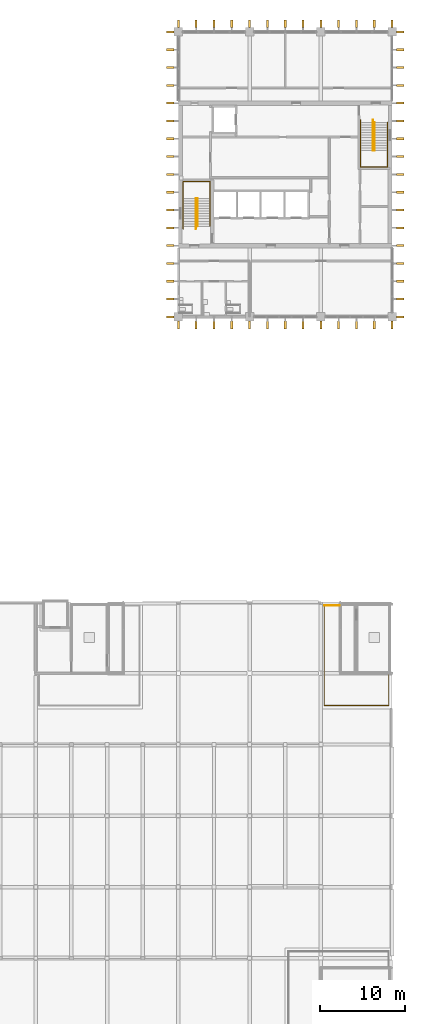
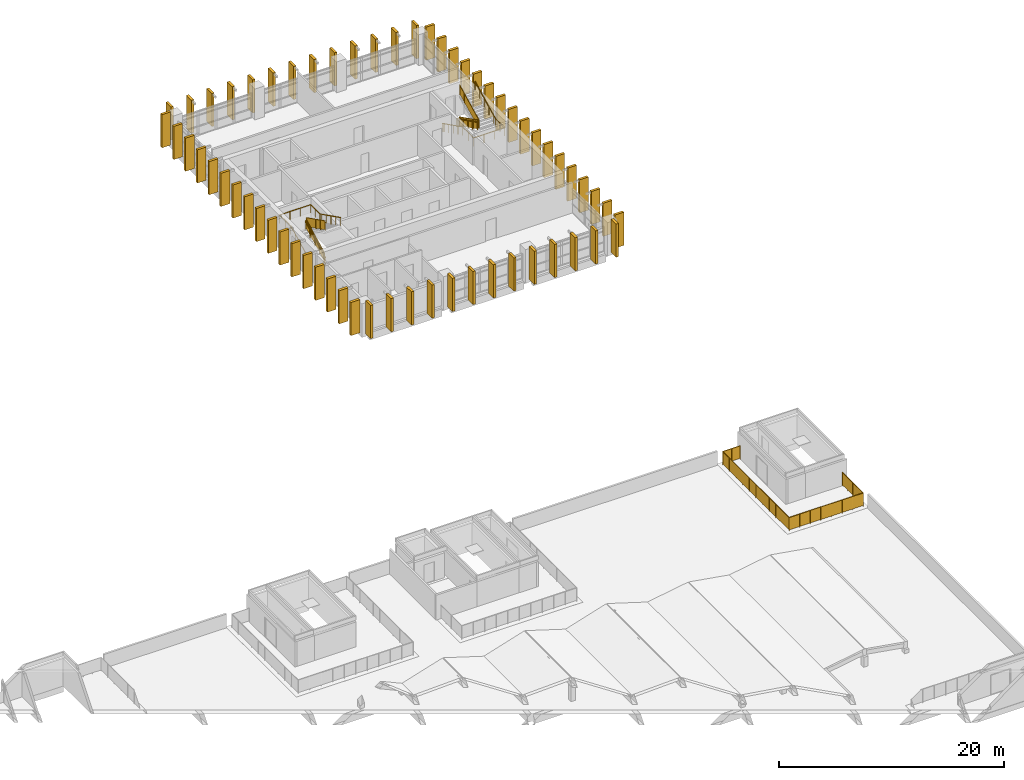
# One storey, part 23 of 24: 60 shading devices, 10 railings.
"""IFC4 building model written with IfcOpenShell, lengths in metres."""

from ifc_helpers import new_model, si_unit, direction, frame, origin, origin_2d, place, context, subcontext, project, spatial, polyline, rectangle, circle, outline, extrude, material, material_profile, profile_set, type_object, element, save


model = new_model("IFC4")

# Units and contexts
model_context = context("Model", 3, precision=1e-05, world=origin(), true_north=direction((0.0, 1.0)))
body_context = subcontext(model_context, "Body", "Model", "MODEL_VIEW")
ifc_project = project(units=[si_unit("LENGTHUNIT", "METRE"), si_unit("AREAUNIT", "SQUARE_METRE"), si_unit("VOLUMEUNIT", "CUBIC_METRE"), si_unit("PLANEANGLEUNIT", "RADIAN"), si_unit("MASSUNIT", "GRAM", prefix="KILO")], contexts=[model_context])

# Site, building, storey
site_placement = place(None, origin())
site = spatial("IfcSite", under=ifc_project, at=site_placement, CompositionType="ELEMENT")
building_placement = place(site_placement, origin())
building = spatial("IfcBuilding", under=site, at=building_placement, Name="Rulbaag Community and Learning Centre", CompositionType="ELEMENT")
storey_placement = place(building_placement, frame((0.0, 0.0, 14.39990234375)))
storey = spatial("IfcBuildingStorey", under=building, at=storey_placement, Name="L03", CompositionType="ELEMENT", Elevation=14.39990234375)

# Shading devices
ifc_material_1 = material(Name="Concrete M40", Category="concrete")
ifc_material_profile = material_profile(ifc_material_1, rectangle(XDim=0.25, YDim=0.89990234375, at=origin_2d()), Name="PC 250x900")
ifc_profile_set = profile_set([ifc_material_profile], Name="Concrete M40")
shading_device_type = type_object("IfcShadingDeviceType", Name="FIN-H", PredefinedType="JALOUSIE", material=ifc_profile_set)
for number, where, z_axis, x_axis, name in (
    (1, (142.800048828125, 83.050048828125, 0.0), (0.0, 0.0, 1.0), (1.0, 0.0, 0.0), "Precast fin"),
    (2, (144.89990234375, 83.050048828125, 0.0), (0.0, 0.0, 1.0), (1.0, 0.0, 0.0), "Precast fin"),
    (3, (147.0, 83.050048828125, 0.0), (0.0, 0.0, 1.0), (1.0, 0.0, 0.0), "Precast fin"),
    (4, (149.10009765625, 83.050048828125, 0.0), (0.0, 0.0, 1.0), (1.0, 0.0, 0.0), "Precast fin"),
    (5, (151.199951171875, 83.050048828125, 0.0), (0.0, 0.0, 1.0), (1.0, 0.0, 0.0), "Precast fin"),
    (6, (153.300048828125, 83.050048828125, 0.0), (0.0, 0.0, 1.0), (1.0, 0.0, 0.0), "Precast fin"),
    (7, (155.39990234375, 83.050048828125, 0.0), (0.0, 0.0, 1.0), (1.0, 0.0, 0.0), "Precast fin"),
    (8, (157.5, 83.050048828125, 0.0), (0.0, 0.0, 1.0), (1.0, 0.0, 0.0), "Precast fin"),
    (9, (159.60009765625, 83.050048828125, 0.0), (0.0, 0.0, 1.0), (1.0, 0.0, 0.0), "Precast fin"),
    (10, (161.699951171875, 83.050048828125, 0.0), (0.0, 0.0, 1.0), (1.0, 0.0, 0.0), "Precast fin"),
    (11, (163.800048828125, 83.050048828125, 0.0), (0.0, 0.0, 1.0), (1.0, 0.0, 0.0), "Precast fin"),
    (12, (165.89990234375, 83.050048828125, 0.0), (0.0, 0.0, 1.0), (1.0, 0.0, 0.0), "Precast fin"),
    (13, (168.0, 83.050048828125, 0.0), (0.0, 0.0, 1.0), (1.0, 0.0, 0.0), "Precast fin"),
    (14, (142.800048828125, 118.550048828125, 0.0), (0.0, 0.0, 1.0), (1.0, 0.0, 0.0), "Precast fin"),
    (15, (144.89990234375, 118.550048828125, 0.0), (0.0, 0.0, 1.0), (1.0, 0.0, 0.0), "Precast fin"),
    (16, (147.0, 118.550048828125, 0.0), (0.0, 0.0, 1.0), (1.0, 0.0, 0.0), "Precast fin"),
    (17, (149.10009765625, 118.550048828125, 0.0), (0.0, 0.0, 1.0), (1.0, 0.0, 0.0), "Precast fin"),
    (18, (151.199951171875, 118.550048828125, 0.0), (0.0, 0.0, 1.0), (1.0, 0.0, 0.0), "Precast fin"),
    (19, (153.300048828125, 118.550048828125, 0.0), (0.0, 0.0, 1.0), (1.0, 0.0, 0.0), "Precast fin"),
    (20, (155.39990234375, 118.550048828125, 0.0), (0.0, 0.0, 1.0), (1.0, 0.0, 0.0), "Precast fin"),
    (21, (157.5, 118.550048828125, 0.0), (0.0, 0.0, 1.0), (1.0, 0.0, 0.0), "Precast fin"),
    (22, (159.60009765625, 118.550048828125, 0.0), (0.0, 0.0, 1.0), (1.0, 0.0, 0.0), "Precast fin"),
    (23, (161.699951171875, 118.550048828125, 0.0), (0.0, 0.0, 1.0), (1.0, 0.0, 0.0), "Precast fin"),
    (24, (163.800048828125, 118.550048828125, 0.0), (0.0, 0.0, 1.0), (1.0, 0.0, 0.0), "Precast fin"),
    (25, (165.89990234375, 118.550048828125, 0.0), (0.0, 0.0, 1.0), (1.0, 0.0, 0.0), "Precast fin"),
    (26, (168.0, 118.550048828125, 0.0), (0.0, 0.0, 1.0), (1.0, 0.0, 0.0), "Precast fin"),
    (27, (141.85009765625, 84.0, 0.0), (0.0, 0.0, 1.0), (0.0, 1.0, 0.0), "Precast fin"),
    (28, (141.85009765625, 86.10009765625, 0.0), (0.0, 0.0, 1.0), (0.0, 1.0, 0.0), "Precast fin"),
    (29, (141.85009765625, 88.199951171875, 0.0), (0.0, 0.0, 1.0), (0.0, 1.0, 0.0), "Precast fin"),
    (30, (141.85009765625, 90.300048828125, 0.0), (0.0, 0.0, 1.0), (0.0, 1.0, 0.0), "Precast fin"),
    (31, (141.85009765625, 92.39990234375, 0.0), (0.0, 0.0, 1.0), (0.0, 1.0, 0.0), "Precast fin"),
    (32, (141.85009765625, 94.5, 0.0), (0.0, 0.0, 1.0), (0.0, 1.0, 0.0), "Precast fin"),
    (33, (141.85009765625, 96.60009765625, 0.0), (0.0, 0.0, 1.0), (0.0, 1.0, 0.0), "Precast fin"),
    (34, (141.85009765625, 98.699951171875, 0.0), (0.0, 0.0, 1.0), (0.0, 1.0, 0.0), "Precast fin"),
    (35, (141.85009765625, 100.800048828125, 0.0), (0.0, 0.0, 1.0), (0.0, 1.0, 0.0), "Precast fin"),
    (36, (141.85009765625, 102.89990234375, 0.0), (0.0, 0.0, 1.0), (0.0, 1.0, 0.0), "Precast fin"),
    (37, (141.85009765625, 105.0, 0.0), (0.0, 0.0, 1.0), (0.0, 1.0, 0.0), "Precast fin"),
    (38, (141.85009765625, 107.10009765625, 0.0), (0.0, 0.0, 1.0), (0.0, 1.0, 0.0), "Precast fin"),
    (39, (141.85009765625, 109.199951171875, 0.0), (0.0, 0.0, 1.0), (0.0, 1.0, 0.0), "Precast fin"),
    (40, (141.85009765625, 111.300048828125, 0.0), (0.0, 0.0, 1.0), (0.0, 1.0, 0.0), "Precast fin"),
    (41, (141.85009765625, 113.39990234375, 0.0), (0.0, 0.0, 1.0), (0.0, 1.0, 0.0), "Precast fin"),
    (42, (141.85009765625, 115.5, 0.0), (0.0, 0.0, 1.0), (0.0, 1.0, 0.0), "Precast fin"),
    (43, (141.85009765625, 117.60009765625, 0.0), (0.0, 0.0, 1.0), (0.0, 1.0, 0.0), "Precast fin"),
    (44, (168.949951171875, 84.0, 0.0), (0.0, 0.0, 1.0), (0.0, 1.0, 0.0), "Precast fin"),
    (45, (168.949951171875, 86.10009765625, 0.0), (0.0, 0.0, 1.0), (0.0, 1.0, 0.0), "Precast fin"),
    (46, (168.949951171875, 88.199951171875, 0.0), (0.0, 0.0, 1.0), (0.0, 1.0, 0.0), "Precast fin"),
    (47, (168.949951171875, 90.300048828125, 0.0), (0.0, 0.0, 1.0), (0.0, 1.0, 0.0), "Precast fin"),
    (48, (168.949951171875, 92.39990234375, 0.0), (0.0, 0.0, 1.0), (0.0, 1.0, 0.0), "Precast fin"),
    (49, (168.949951171875, 94.5, 0.0), (0.0, 0.0, 1.0), (0.0, 1.0, 0.0), "Precast fin"),
    (50, (168.949951171875, 96.60009765625, 0.0), (0.0, 0.0, 1.0), (0.0, 1.0, 0.0), "Precast fin"),
    (51, (168.949951171875, 98.699951171875, 0.0), (0.0, 0.0, 1.0), (0.0, 1.0, 0.0), "Precast fin"),
    (52, (168.949951171875, 100.800048828125, 0.0), (0.0, 0.0, 1.0), (0.0, 1.0, 0.0), "Precast fin"),
    (53, (168.949951171875, 102.89990234375, 0.0), (0.0, 0.0, 1.0), (0.0, 1.0, 0.0), "Precast fin"),
    (54, (168.949951171875, 105.0, 0.0), (0.0, 0.0, 1.0), (0.0, 1.0, 0.0), "Precast fin"),
    (55, (168.949951171875, 107.10009765625, 0.0), (0.0, 0.0, 1.0), (0.0, 1.0, 0.0), "Precast fin"),
    (56, (168.949951171875, 109.199951171875, 0.0), (0.0, 0.0, 1.0), (0.0, 1.0, 0.0), "Precast fin"),
    (57, (168.949951171875, 111.300048828125, 0.0), (0.0, 0.0, 1.0), (0.0, 1.0, 0.0), "Precast fin"),
    (58, (168.949951171875, 113.39990234375, 0.0), (0.0, 0.0, 1.0), (0.0, 1.0, 0.0), "Precast fin"),
    (59, (168.949951171875, 115.5, 0.0), (0.0, 0.0, 1.0), (0.0, 1.0, 0.0), "Precast fin"),
    (60, (168.949951171875, 117.60009765625, 0.0), (0.0, 0.0, 1.0), (0.0, 1.0, 0.0), "Precast fin"),
):
    element("IfcShadingDevice", number, at=place(storey_placement, frame(where, z_axis=z_axis, x_axis=x_axis)), inside=storey, type_object=shading_device_type, Name=name, PredefinedType="JALOUSIE", context=body_context, shape_type="SweptSolid", body=[
        extrude(rectangle(XDim=0.25, YDim=0.89990234375, at=origin_2d()), origin(), (0.0, 0.0, 1.0), 3.60009765625),
    ])

# Railings
ifc_material_2 = material(Name="Galvanised mild steel", Category="steel")
railing_type_1 = type_object("IfcRailingType", Name="GR-1100 GUARD 1100", PredefinedType="GUARDRAIL", material=ifc_material_2)
railing_1_placement = place(storey_placement, frame((144.929931640625, 94.675048828125, 0.150146484375)))
element("IfcRailing", 61, at=railing_1_placement, inside=storey, type_object=railing_type_1, Name="Guard ST1 L03 G", PredefinedType="GUARDRAIL", context=body_context, shape_type="SweptSolid", body=[
    extrude(circle(Radius=0.02490234375, at=origin_2d()), frame((0.0, 0.0, 1.0751953125), z_axis=(0.0, 0.894440424912, 0.447187126696), x_axis=(-1.0, 0.0, 0.0)), (0.0, 0.0, 1.0), 3.689453125),
    extrude(circle(Radius=0.02001953125, at=origin_2d()), origin(), (0.0, 0.0, 1.0), 1.050048828125),
    extrude(circle(Radius=0.02001953125, at=origin_2d()), frame((0.0, 0.824951171875, 0.41259765625)), (0.0, 0.0, 1.0), 1.050048828125),
    extrude(circle(Radius=0.02001953125, at=origin_2d()), frame((0.0, 1.64990234375, 0.824951171875)), (0.0, 0.0, 1.0), 1.050048828125),
    extrude(circle(Radius=0.02001953125, at=origin_2d()), frame((0.0, 2.47509765625, 1.2373046875)), (0.0, 0.0, 1.0), 1.050048828125),
    extrude(circle(Radius=0.02001953125, at=origin_2d()), frame((0.0, 3.300048828125, 1.64990234375)), (0.0, 0.0, 1.0), 1.050048828125),
    extrude(outline(polyline([(0.0, 0.0), (3.300048828125, 1.64990234375), (3.300048828125, 2.599853515625), (0.0, 0.949951171875), (0.0, 0.0)])), frame((-0.0048828125, 0.0, 0.10009765625), z_axis=(1.0, 0.0, 0.0), x_axis=(0.0, 1.0, 0.0)), (0.0, 0.0, 1.0), 0.010009765625),
])
for number, where, name in (
    (62, (144.969970703125, 97.97509765625, 1.9501953125), "Guard ST1 L03 G2"),
    (63, (165.830078125, 106.925048828125, 0.150146484375), "Guard ST2 L03 G"),
):
    element("IfcRailing", number, at=place(storey_placement, frame(where)), inside=storey, type_object=railing_type_1, Name=name, PredefinedType="GUARDRAIL", context=body_context, shape_type="SweptSolid", body=[
        extrude(circle(Radius=0.02490234375, at=origin_2d()), frame((0.0, 0.0, 1.0751953125), z_axis=(0.0, -0.894440424912, 0.447187126696), x_axis=(1.0, 0.0, 0.0)), (0.0, 0.0, 1.0), 3.689453125),
        extrude(circle(Radius=0.02001953125, at=origin_2d()), origin(), (0.0, 0.0, 1.0), 1.050048828125),
        extrude(circle(Radius=0.02001953125, at=origin_2d()), frame((0.0, -0.824951171875, 0.41259765625)), (0.0, 0.0, 1.0), 1.050048828125),
        extrude(circle(Radius=0.02001953125, at=origin_2d()), frame((0.0, -1.64990234375, 0.824951171875)), (0.0, 0.0, 1.0), 1.050048828125),
        extrude(circle(Radius=0.02001953125, at=origin_2d()), frame((0.0, -2.47509765625, 1.2373046875)), (0.0, 0.0, 1.0), 1.050048828125),
        extrude(circle(Radius=0.02001953125, at=origin_2d()), frame((0.0, -3.300048828125, 1.64990234375)), (0.0, 0.0, 1.0), 1.050048828125),
        extrude(outline(polyline([(0.0, 0.0), (3.300048828125, 1.64990234375), (3.300048828125, 2.599853515625), (0.0, 0.949951171875), (0.0, 0.0)])), frame((0.0048828125, 0.0, 0.10009765625), z_axis=(-1.0, 0.0, 0.0), x_axis=(0.0, -1.0, 0.0)), (0.0, 0.0, 1.0), 0.010009765625),
    ])
railing_2_placement = place(storey_placement, frame((165.8701171875, 103.625, 1.9501953125)))
element("IfcRailing", 64, at=railing_2_placement, inside=storey, type_object=railing_type_1, Name="Guard ST2 L03 G2", PredefinedType="GUARDRAIL", context=body_context, shape_type="SweptSolid", body=[
    extrude(circle(Radius=0.02490234375, at=origin_2d()), frame((0.0, 0.0, 1.0751953125), z_axis=(0.0, 0.894440424912, 0.447187126696), x_axis=(-1.0, 0.0, 0.0)), (0.0, 0.0, 1.0), 3.689453125),
    extrude(circle(Radius=0.02001953125, at=origin_2d()), origin(), (0.0, 0.0, 1.0), 1.050048828125),
    extrude(circle(Radius=0.02001953125, at=origin_2d()), frame((0.0, 0.824951171875, 0.41259765625)), (0.0, 0.0, 1.0), 1.050048828125),
    extrude(circle(Radius=0.02001953125, at=origin_2d()), frame((0.0, 1.64990234375, 0.824951171875)), (0.0, 0.0, 1.0), 1.050048828125),
    extrude(circle(Radius=0.02001953125, at=origin_2d()), frame((0.0, 2.47509765625, 1.2373046875)), (0.0, 0.0, 1.0), 1.050048828125),
    extrude(circle(Radius=0.02001953125, at=origin_2d()), frame((0.0, 3.300048828125, 1.64990234375)), (0.0, 0.0, 1.0), 1.050048828125),
    extrude(outline(polyline([(0.0, 0.0), (3.300048828125, 1.64990234375), (3.300048828125, 2.599853515625), (0.0, 0.949951171875), (0.0, 0.0)])), frame((-0.0048828125, 0.0, 0.10009765625), z_axis=(1.0, 0.0, 0.0), x_axis=(0.0, 1.0, 0.0)), (0.0, 0.0, 1.0), 0.010009765625),
])
ifc_material_3 = material(Name="Stainless steel grade 316", Category="steel")
railing_type_2 = type_object("IfcRailingType", Name="HR-900 HANDRAIL 900", PredefinedType="HANDRAIL", material=ifc_material_3)
railing_3_placement = place(storey_placement, frame((143.360107421875, 94.375, 0.0)))
element("IfcRailing", 65, at=railing_3_placement, inside=storey, type_object=railing_type_2, Name="Handrail ST1 L03 O", PredefinedType="HANDRAIL", context=body_context, shape_type="SweptSolid", body=[
    extrude(circle(Radius=0.024169921875, at=origin_2d()), frame((0.0, 0.0, 0.875732421875), z_axis=(0.0, 0.894281613681, 0.447504631744), x_axis=(-1.0, 0.0, 0.0)), (0.0, 0.0, 1.0), 0.33544921875),
    extrude(circle(Radius=0.024169921875, at=origin_2d()), frame((0.0, 0.300048828125, 1.02587890625), z_axis=(0.0, 0.894440424912, 0.447187126696), x_axis=(-1.0, 0.0, 0.0)), (0.0, 0.0, 1.0), 3.689453125),
    extrude(circle(Radius=0.024169921875, at=origin_2d()), frame((0.0, 3.60009765625, 2.67578125), z_axis=(0.0, 1.0, 0.0), x_axis=(-1.0, 0.0, 0.0)), (0.0, 0.0, 1.0), 1.96484375),
    extrude(circle(Radius=0.024169921875, at=origin_2d()), frame((0.0, 5.56494140625, 2.67578125), z_axis=(1.0, 0.0, 0.0), x_axis=(0.0, 1.0, 0.0)), (0.0, 0.0, 1.0), 3.179931640625),
    extrude(circle(Radius=0.024169921875, at=origin_2d()), frame((3.179931640625, 5.56494140625, 2.67578125), z_axis=(0.0, -1.0, 0.0), x_axis=(1.0, 0.0, 0.0)), (0.0, 0.0, 1.0), 1.6650390625),
    extrude(circle(Radius=0.024169921875, at=origin_2d()), frame((3.179931640625, 3.89990234375, 2.67578125), z_axis=(0.0, -0.894135751892, 0.447795999523), x_axis=(1.0, 0.0, 0.0)), (0.0, 0.0, 1.0), 0.335205078125),
    extrude(circle(Radius=0.024169921875, at=origin_2d()), frame((3.179931640625, 3.60009765625, 2.825927734375), z_axis=(0.0, -0.894440424912, 0.447187126696), x_axis=(1.0, 0.0, 0.0)), (0.0, 0.0, 1.0), 3.689453125),
    extrude(circle(Radius=0.008056640625, at=origin_2d()), origin(), (0.0, 0.0, 1.0), 0.8515625),
    extrude(circle(Radius=0.008056640625, at=origin_2d()), frame((0.0, 0.300048828125, 0.150146484375)), (0.0, 0.0, 1.0), 0.8515625),
    extrude(circle(Radius=0.008056640625, at=origin_2d()), frame((0.0, 1.125, 0.5625)), (0.0, 0.0, 1.0), 0.8515625),
    extrude(circle(Radius=0.008056640625, at=origin_2d()), frame((0.0, 1.9501953125, 0.97509765625)), (0.0, 0.0, 1.0), 0.8515625),
    extrude(circle(Radius=0.008056640625, at=origin_2d()), frame((0.0, 2.775146484375, 1.3876953125)), (0.0, 0.0, 1.0), 0.8515625),
    extrude(circle(Radius=0.008056640625, at=origin_2d()), frame((0.0, 3.60009765625, 1.800048828125)), (0.0, 0.0, 1.0), 0.8515625),
    extrude(circle(Radius=0.008056640625, at=origin_2d()), frame((0.0, 4.58251953125, 1.800048828125)), (0.0, 0.0, 1.0), 0.8515625),
    extrude(circle(Radius=0.008056640625, at=origin_2d()), frame((0.0, 5.56494140625, 1.800048828125)), (0.0, 0.0, 1.0), 0.8515625),
    extrude(circle(Radius=0.008056640625, at=origin_2d()), frame((1.06005859375, 5.56494140625, 1.800048828125)), (0.0, 0.0, 1.0), 0.8515625),
    extrude(circle(Radius=0.008056640625, at=origin_2d()), frame((2.119873046875, 5.56494140625, 1.800048828125)), (0.0, 0.0, 1.0), 0.8515625),
    extrude(circle(Radius=0.008056640625, at=origin_2d()), frame((3.179931640625, 5.56494140625, 1.800048828125)), (0.0, 0.0, 1.0), 0.8515625),
    extrude(circle(Radius=0.008056640625, at=origin_2d()), frame((3.179931640625, 4.732421875, 1.800048828125)), (0.0, 0.0, 1.0), 0.8515625),
    extrude(circle(Radius=0.008056640625, at=origin_2d()), frame((3.179931640625, 3.89990234375, 1.800048828125)), (0.0, 0.0, 1.0), 0.8515625),
    extrude(circle(Radius=0.008056640625, at=origin_2d()), frame((3.179931640625, 3.60009765625, 1.9501953125)), (0.0, 0.0, 1.0), 0.8515625),
    extrude(circle(Radius=0.008056640625, at=origin_2d()), frame((3.179931640625, 2.775146484375, 2.36279296875)), (0.0, 0.0, 1.0), 0.8515625),
    extrude(circle(Radius=0.008056640625, at=origin_2d()), frame((3.179931640625, 1.9501953125, 2.775146484375)), (0.0, 0.0, 1.0), 0.8515625),
    extrude(circle(Radius=0.008056640625, at=origin_2d()), frame((3.179931640625, 1.125, 3.1875)), (0.0, 0.0, 1.0), 0.8515625),
    extrude(circle(Radius=0.008056640625, at=origin_2d()), frame((3.179931640625, 0.300048828125, 3.60009765625)), (0.0, 0.0, 1.0), 0.8515625),
])
railing_4_placement = place(storey_placement, frame((144.860107421875, 94.375, 0.0)))
element("IfcRailing", 66, at=railing_4_placement, inside=storey, type_object=railing_type_2, Name="Handrail ST1 L03 I", PredefinedType="HANDRAIL", context=body_context, shape_type="SweptSolid", body=[
    extrude(circle(Radius=0.024169921875, at=origin_2d()), frame((0.0, 0.0, 0.875732421875), z_axis=(0.0, 0.894281613681, 0.447504631744), x_axis=(-1.0, 0.0, 0.0)), (0.0, 0.0, 1.0), 0.33544921875),
    extrude(circle(Radius=0.024169921875, at=origin_2d()), frame((0.0, 0.300048828125, 1.02587890625), z_axis=(0.0, 0.894440424912, 0.447187126696), x_axis=(-1.0, 0.0, 0.0)), (0.0, 0.0, 1.0), 3.689453125),
    extrude(circle(Radius=0.024169921875, at=origin_2d()), frame((0.0, 3.60009765625, 2.67578125), z_axis=(0.767794148456, 0.0, 0.640696609634), x_axis=(0.0, 1.0, 0.0)), (0.0, 0.0, 1.0), 0.234375),
    extrude(circle(Radius=0.024169921875, at=origin_2d()), frame((0.179931640625, 3.60009765625, 2.825927734375), z_axis=(0.0, -0.894440424912, 0.447187126696), x_axis=(1.0, 0.0, 0.0)), (0.0, 0.0, 1.0), 3.689453125),
    extrude(circle(Radius=0.008056640625, at=origin_2d()), origin(), (0.0, 0.0, 1.0), 0.8515625),
    extrude(circle(Radius=0.008056640625, at=origin_2d()), frame((0.0, 0.300048828125, 0.150146484375)), (0.0, 0.0, 1.0), 0.8515625),
    extrude(circle(Radius=0.008056640625, at=origin_2d()), frame((0.0, 1.125, 0.5625)), (0.0, 0.0, 1.0), 0.8515625),
    extrude(circle(Radius=0.008056640625, at=origin_2d()), frame((0.0, 1.9501953125, 0.97509765625)), (0.0, 0.0, 1.0), 0.8515625),
    extrude(circle(Radius=0.008056640625, at=origin_2d()), frame((0.0, 2.775146484375, 1.3876953125)), (0.0, 0.0, 1.0), 0.8515625),
    extrude(circle(Radius=0.008056640625, at=origin_2d()), frame((0.0, 3.60009765625, 1.800048828125)), (0.0, 0.0, 1.0), 0.8515625),
    extrude(circle(Radius=0.008056640625, at=origin_2d()), frame((0.179931640625, 3.60009765625, 1.9501953125)), (0.0, 0.0, 1.0), 0.8515625),
    extrude(circle(Radius=0.008056640625, at=origin_2d()), frame((0.179931640625, 2.775146484375, 2.36279296875)), (0.0, 0.0, 1.0), 0.8515625),
    extrude(circle(Radius=0.008056640625, at=origin_2d()), frame((0.179931640625, 1.9501953125, 2.775146484375)), (0.0, 0.0, 1.0), 0.8515625),
    extrude(circle(Radius=0.008056640625, at=origin_2d()), frame((0.179931640625, 1.125, 3.1875)), (0.0, 0.0, 1.0), 0.8515625),
    extrude(circle(Radius=0.008056640625, at=origin_2d()), frame((0.179931640625, 0.300048828125, 3.60009765625)), (0.0, 0.0, 1.0), 0.8515625),
])
railing_5_placement = place(storey_placement, frame((164.260009765625, 107.22509765625, 0.0)))
element("IfcRailing", 67, at=railing_5_placement, inside=storey, type_object=railing_type_2, Name="Handrail ST2 L03 O", PredefinedType="HANDRAIL", context=body_context, shape_type="SweptSolid", body=[
    extrude(circle(Radius=0.024169921875, at=origin_2d()), frame((0.0, 0.0, 0.875732421875), z_axis=(0.0, -0.894281613681, 0.447504631744), x_axis=(1.0, 0.0, 0.0)), (0.0, 0.0, 1.0), 0.33544921875),
    extrude(circle(Radius=0.024169921875, at=origin_2d()), frame((0.0, -0.300048828125, 1.02587890625), z_axis=(0.0, -0.894440424912, 0.447187126696), x_axis=(1.0, 0.0, 0.0)), (0.0, 0.0, 1.0), 3.689453125),
    extrude(circle(Radius=0.024169921875, at=origin_2d()), frame((0.0, -3.60009765625, 2.67578125), z_axis=(0.0, -1.0, 0.0), x_axis=(1.0, 0.0, 0.0)), (0.0, 0.0, 1.0), 1.965087890625),
    extrude(circle(Radius=0.024169921875, at=origin_2d()), frame((0.0, -5.565185546875, 2.67578125), z_axis=(1.0, 0.0, 0.0), x_axis=(0.0, 1.0, 0.0)), (0.0, 0.0, 1.0), 3.179931640625),
    extrude(circle(Radius=0.024169921875, at=origin_2d()), frame((3.179931640625, -5.565185546875, 2.67578125), z_axis=(0.0, 1.0, 0.0), x_axis=(-1.0, 0.0, 0.0)), (0.0, 0.0, 1.0), 1.6650390625),
    extrude(circle(Radius=0.024169921875, at=origin_2d()), frame((3.179931640625, -3.900146484375, 2.67578125), z_axis=(0.0, 0.894281613681, 0.447504631744), x_axis=(-1.0, 0.0, 0.0)), (0.0, 0.0, 1.0), 0.33544921875),
    extrude(circle(Radius=0.024169921875, at=origin_2d()), frame((3.179931640625, -3.60009765625, 2.825927734375), z_axis=(0.0, 0.894440424912, 0.447187126696), x_axis=(-1.0, 0.0, 0.0)), (0.0, 0.0, 1.0), 3.689453125),
    extrude(circle(Radius=0.008056640625, at=origin_2d()), origin(), (0.0, 0.0, 1.0), 0.8515625),
    extrude(circle(Radius=0.008056640625, at=origin_2d()), frame((0.0, -0.300048828125, 0.150146484375)), (0.0, 0.0, 1.0), 0.8515625),
    extrude(circle(Radius=0.008056640625, at=origin_2d()), frame((0.0, -1.125, 0.5625)), (0.0, 0.0, 1.0), 0.8515625),
    extrude(circle(Radius=0.008056640625, at=origin_2d()), frame((0.0, -1.9501953125, 0.97509765625)), (0.0, 0.0, 1.0), 0.8515625),
    extrude(circle(Radius=0.008056640625, at=origin_2d()), frame((0.0, -2.775146484375, 1.3876953125)), (0.0, 0.0, 1.0), 0.8515625),
    extrude(circle(Radius=0.008056640625, at=origin_2d()), frame((0.0, -3.60009765625, 1.800048828125)), (0.0, 0.0, 1.0), 0.8515625),
    extrude(circle(Radius=0.008056640625, at=origin_2d()), frame((0.0, -4.58251953125, 1.800048828125)), (0.0, 0.0, 1.0), 0.8515625),
    extrude(circle(Radius=0.008056640625, at=origin_2d()), frame((0.0, -5.565185546875, 1.800048828125)), (0.0, 0.0, 1.0), 0.8515625),
    extrude(circle(Radius=0.008056640625, at=origin_2d()), frame((1.06005859375, -5.565185546875, 1.800048828125)), (0.0, 0.0, 1.0), 0.8515625),
    extrude(circle(Radius=0.008056640625, at=origin_2d()), frame((2.119873046875, -5.565185546875, 1.800048828125)), (0.0, 0.0, 1.0), 0.8515625),
    extrude(circle(Radius=0.008056640625, at=origin_2d()), frame((3.179931640625, -5.565185546875, 1.800048828125)), (0.0, 0.0, 1.0), 0.8515625),
    extrude(circle(Radius=0.008056640625, at=origin_2d()), frame((3.179931640625, -4.732666015625, 1.800048828125)), (0.0, 0.0, 1.0), 0.8515625),
    extrude(circle(Radius=0.008056640625, at=origin_2d()), frame((3.179931640625, -3.900146484375, 1.800048828125)), (0.0, 0.0, 1.0), 0.8515625),
    extrude(circle(Radius=0.008056640625, at=origin_2d()), frame((3.179931640625, -3.60009765625, 1.9501953125)), (0.0, 0.0, 1.0), 0.8515625),
    extrude(circle(Radius=0.008056640625, at=origin_2d()), frame((3.179931640625, -2.775146484375, 2.36279296875)), (0.0, 0.0, 1.0), 0.8515625),
    extrude(circle(Radius=0.008056640625, at=origin_2d()), frame((3.179931640625, -1.9501953125, 2.775146484375)), (0.0, 0.0, 1.0), 0.8515625),
    extrude(circle(Radius=0.008056640625, at=origin_2d()), frame((3.179931640625, -1.125, 3.1875)), (0.0, 0.0, 1.0), 0.8515625),
    extrude(circle(Radius=0.008056640625, at=origin_2d()), frame((3.179931640625, -0.300048828125, 3.60009765625)), (0.0, 0.0, 1.0), 0.8515625),
])
railing_6_placement = place(storey_placement, frame((165.760009765625, 107.22509765625, 0.0)))
element("IfcRailing", 68, at=railing_6_placement, inside=storey, type_object=railing_type_2, Name="Handrail ST2 L03 I", PredefinedType="HANDRAIL", context=body_context, shape_type="SweptSolid", body=[
    extrude(circle(Radius=0.024169921875, at=origin_2d()), frame((0.0, 0.0, 0.875732421875), z_axis=(0.0, -0.894281613681, 0.447504631744), x_axis=(1.0, 0.0, 0.0)), (0.0, 0.0, 1.0), 0.33544921875),
    extrude(circle(Radius=0.024169921875, at=origin_2d()), frame((0.0, -0.300048828125, 1.02587890625), z_axis=(0.0, -0.894440424912, 0.447187126696), x_axis=(1.0, 0.0, 0.0)), (0.0, 0.0, 1.0), 3.689453125),
    extrude(circle(Radius=0.024169921875, at=origin_2d()), frame((0.0, -3.60009765625, 2.67578125), z_axis=(0.767794148456, 0.0, 0.640696609634), x_axis=(0.0, 1.0, 0.0)), (0.0, 0.0, 1.0), 0.234375),
    extrude(circle(Radius=0.024169921875, at=origin_2d()), frame((0.179931640625, -3.60009765625, 2.825927734375), z_axis=(0.0, 0.894440424912, 0.447187126696), x_axis=(-1.0, 0.0, 0.0)), (0.0, 0.0, 1.0), 3.689453125),
    extrude(circle(Radius=0.008056640625, at=origin_2d()), origin(), (0.0, 0.0, 1.0), 0.8515625),
    extrude(circle(Radius=0.008056640625, at=origin_2d()), frame((0.0, -0.300048828125, 0.150146484375)), (0.0, 0.0, 1.0), 0.8515625),
    extrude(circle(Radius=0.008056640625, at=origin_2d()), frame((0.0, -1.125, 0.5625)), (0.0, 0.0, 1.0), 0.8515625),
    extrude(circle(Radius=0.008056640625, at=origin_2d()), frame((0.0, -1.9501953125, 0.97509765625)), (0.0, 0.0, 1.0), 0.8515625),
    extrude(circle(Radius=0.008056640625, at=origin_2d()), frame((0.0, -2.775146484375, 1.3876953125)), (0.0, 0.0, 1.0), 0.8515625),
    extrude(circle(Radius=0.008056640625, at=origin_2d()), frame((0.0, -3.60009765625, 1.800048828125)), (0.0, 0.0, 1.0), 0.8515625),
    extrude(circle(Radius=0.008056640625, at=origin_2d()), frame((0.179931640625, -3.60009765625, 1.9501953125)), (0.0, 0.0, 1.0), 0.8515625),
    extrude(circle(Radius=0.008056640625, at=origin_2d()), frame((0.179931640625, -2.775146484375, 2.36279296875)), (0.0, 0.0, 1.0), 0.8515625),
    extrude(circle(Radius=0.008056640625, at=origin_2d()), frame((0.179931640625, -1.9501953125, 2.775146484375)), (0.0, 0.0, 1.0), 0.8515625),
    extrude(circle(Radius=0.008056640625, at=origin_2d()), frame((0.179931640625, -1.125, 3.1875)), (0.0, 0.0, 1.0), 0.8515625),
    extrude(circle(Radius=0.008056640625, at=origin_2d()), frame((0.179931640625, -0.300048828125, 3.60009765625)), (0.0, 0.0, 1.0), 0.8515625),
])
railing_type_3 = type_object("IfcRailingType", Name="RL-150", PredefinedType="GUARDRAIL", material=ifc_material_2)
railing_7_placement = place(storey_placement, frame((167.60009765625, 41.89990234375, 0.0)))
element("IfcRailing", 69, at=railing_7_placement, inside=storey, type_object=railing_type_3, Name="Terrace guard", PredefinedType="GUARDRAIL", context=body_context, shape_type="SweptSolid", body=[
    extrude(circle(Radius=0.02490234375, at=origin_2d()), frame((0.0, 0.0, 1.47509765625), z_axis=(0.0, -1.0, 0.0), x_axis=(1.0, 0.0, 0.0)), (0.0, 0.0, 1.0), 3.699951171875),
    extrude(circle(Radius=0.02490234375, at=origin_2d()), frame((0.0, -3.699951171875, 1.47509765625), z_axis=(-1.0, 0.0, 0.0), x_axis=(0.0, -1.0, 0.0)), (0.0, 0.0, 1.0), 7.60009765625),
    extrude(circle(Radius=0.02490234375, at=origin_2d()), frame((-7.60009765625, -3.699951171875, 1.47509765625), z_axis=(0.0, 1.0, 0.0), x_axis=(-1.0, 0.0, 0.0)), (0.0, 0.0, 1.0), 11.800048828125),
    extrude(circle(Radius=0.02001953125, at=origin_2d()), origin(), (0.0, 0.0, 1.0), 1.449951171875),
    extrude(circle(Radius=0.02001953125, at=origin_2d()), frame((0.0, -0.925048828125, 0.0)), (0.0, 0.0, 1.0), 1.449951171875),
    extrude(circle(Radius=0.02001953125, at=origin_2d()), frame((0.0, -1.85009765625, 0.0)), (0.0, 0.0, 1.0), 1.449951171875),
    extrude(circle(Radius=0.02001953125, at=origin_2d()), frame((0.0, -2.77490234375, 0.0)), (0.0, 0.0, 1.0), 1.449951171875),
    extrude(circle(Radius=0.02001953125, at=origin_2d()), frame((0.0, -3.699951171875, 0.0)), (0.0, 0.0, 1.0), 1.449951171875),
    extrude(circle(Radius=0.02001953125, at=origin_2d()), frame((-1.085693359375, -3.699951171875, 0.0)), (0.0, 0.0, 1.0), 1.449951171875),
    extrude(circle(Radius=0.02001953125, at=origin_2d()), frame((-2.17138671875, -3.699951171875, 0.0)), (0.0, 0.0, 1.0), 1.449951171875),
    extrude(circle(Radius=0.02001953125, at=origin_2d()), frame((-3.257080078125, -3.699951171875, 0.0)), (0.0, 0.0, 1.0), 1.449951171875),
    extrude(circle(Radius=0.02001953125, at=origin_2d()), frame((-4.343017578125, -3.699951171875, 0.0)), (0.0, 0.0, 1.0), 1.449951171875),
    extrude(circle(Radius=0.02001953125, at=origin_2d()), frame((-5.4287109375, -3.699951171875, 0.0)), (0.0, 0.0, 1.0), 1.449951171875),
    extrude(circle(Radius=0.02001953125, at=origin_2d()), frame((-6.514404296875, -3.699951171875, 0.0)), (0.0, 0.0, 1.0), 1.449951171875),
    extrude(circle(Radius=0.02001953125, at=origin_2d()), frame((-7.60009765625, -3.699951171875, 0.0)), (0.0, 0.0, 1.0), 1.449951171875),
    extrude(circle(Radius=0.02001953125, at=origin_2d()), frame((-7.60009765625, -2.52001953125, 0.0)), (0.0, 0.0, 1.0), 1.449951171875),
    extrude(circle(Radius=0.02001953125, at=origin_2d()), frame((-7.60009765625, -1.33984375, 0.0)), (0.0, 0.0, 1.0), 1.449951171875),
    extrude(circle(Radius=0.02001953125, at=origin_2d()), frame((-7.60009765625, -0.159912109375, 0.0)), (0.0, 0.0, 1.0), 1.449951171875),
    extrude(circle(Radius=0.02001953125, at=origin_2d()), frame((-7.60009765625, 1.02001953125, 0.0)), (0.0, 0.0, 1.0), 1.449951171875),
    extrude(circle(Radius=0.02001953125, at=origin_2d()), frame((-7.60009765625, 2.2001953125, 0.0)), (0.0, 0.0, 1.0), 1.449951171875),
    extrude(circle(Radius=0.02001953125, at=origin_2d()), frame((-7.60009765625, 3.380126953125, 0.0)), (0.0, 0.0, 1.0), 1.449951171875),
    extrude(circle(Radius=0.02001953125, at=origin_2d()), frame((-7.60009765625, 4.56005859375, 0.0)), (0.0, 0.0, 1.0), 1.449951171875),
    extrude(circle(Radius=0.02001953125, at=origin_2d()), frame((-7.60009765625, 5.739990234375, 0.0)), (0.0, 0.0, 1.0), 1.449951171875),
    extrude(circle(Radius=0.02001953125, at=origin_2d()), frame((-7.60009765625, 6.920166015625, 0.0)), (0.0, 0.0, 1.0), 1.449951171875),
    extrude(circle(Radius=0.02001953125, at=origin_2d()), frame((-7.60009765625, 8.10009765625, 0.0)), (0.0, 0.0, 1.0), 1.449951171875),
    extrude(outline(polyline([(0.0, 0.0), (3.699951171875, 0.0), (3.699951171875, 1.349853515625), (0.0, 1.349853515625), (0.0, 0.0)])), frame((0.0048828125, 0.0, 0.10009765625), z_axis=(-1.0, 0.0, 0.0), x_axis=(0.0, -1.0, 0.0)), (0.0, 0.0, 1.0), 0.010009765625),
    extrude(outline(polyline([(0.0, 0.0), (7.60009765625, 0.0), (7.60009765625, 1.349853515625), (0.0, 1.349853515625), (0.0, 0.0)])), frame((0.0, -3.705078125, 0.10009765625), z_axis=(0.0, 1.0, 0.0), x_axis=(-1.0, 0.0, 0.0)), (0.0, 0.0, 1.0), 0.010009765625),
    extrude(outline(polyline([(0.0, 0.0), (11.800048828125, 0.0), (11.800048828125, 1.349853515625), (0.0, 1.349853515625), (0.0, 0.0)])), frame((-7.60498046875, -3.699951171875, 0.10009765625), z_axis=(1.0, 0.0, 0.0), x_axis=(0.0, 1.0, 0.0)), (0.0, 0.0, 1.0), 0.010009765625),
])
railing_8_placement = place(storey_placement, frame((160.0, 50.0, 0.0)))
element("IfcRailing", 70, at=railing_8_placement, inside=storey, type_object=railing_type_3, Name="Terrace guard", PredefinedType="GUARDRAIL", context=body_context, shape_type="SweptSolid", body=[
    extrude(circle(Radius=0.02490234375, at=origin_2d()), frame((0.0, 0.0, 1.47509765625), z_axis=(1.0, 0.0, 0.0), x_axis=(0.0, 1.0, 0.0)), (0.0, 0.0, 1.0), 1.800048828125),
    extrude(circle(Radius=0.02001953125, at=origin_2d()), origin(), (0.0, 0.0, 1.0), 1.449951171875),
    extrude(circle(Radius=0.02001953125, at=origin_2d()), frame((0.89990234375, 0.0, 0.0)), (0.0, 0.0, 1.0), 1.449951171875),
    extrude(circle(Radius=0.02001953125, at=origin_2d()), frame((1.800048828125, 0.0, 0.0)), (0.0, 0.0, 1.0), 1.449951171875),
    extrude(outline(polyline([(0.0, 0.0), (1.800048828125, 0.0), (1.800048828125, 1.349853515625), (0.0, 1.349853515625), (0.0, 0.0)])), frame((0.0, 0.0048828125, 0.10009765625), z_axis=(0.0, -1.0, 0.0), x_axis=(1.0, 0.0, 0.0)), (0.0, 0.0, 1.0), 0.010009765625),
])

save(model, "model.ifc")
